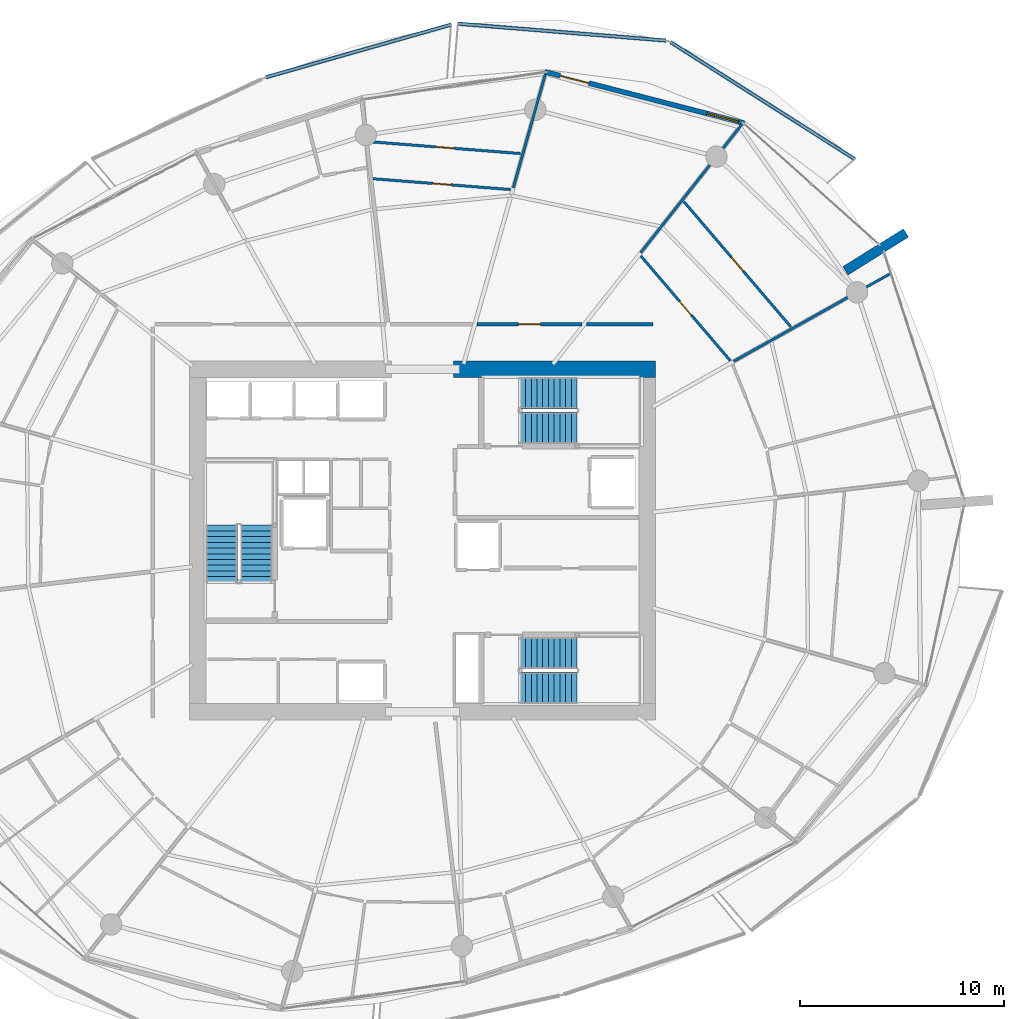
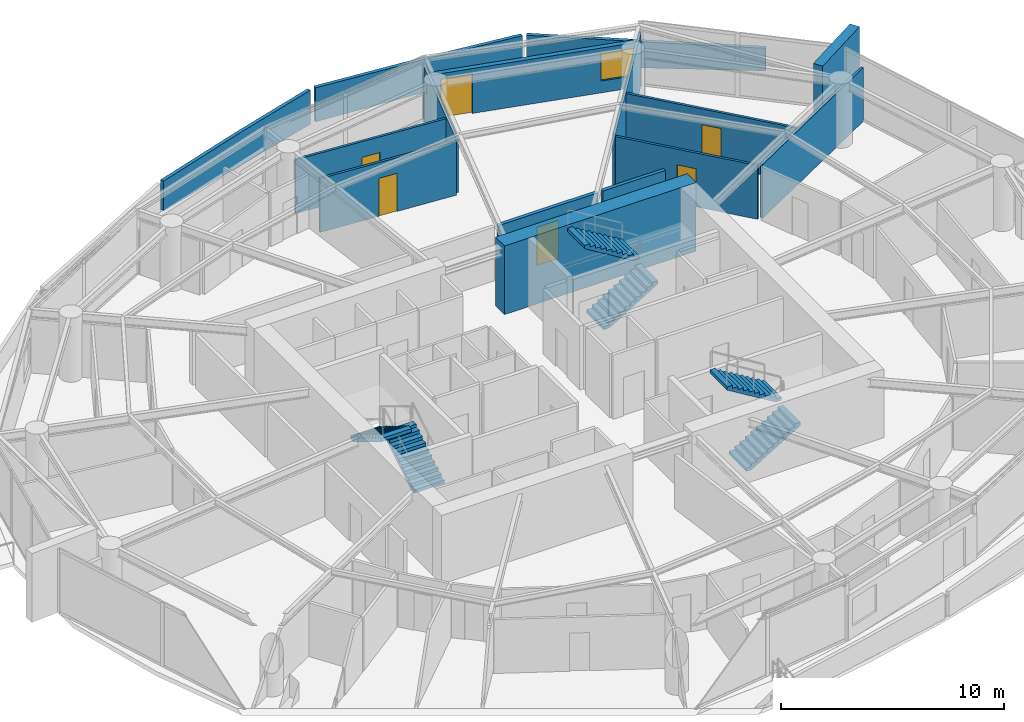
# One storey, part 15 of 20: 15 walls, 6 doors, 6 stair flights, 1 window, 7 openings, 3 elements without a shape of their own.
"""IFC4 building model written with IfcOpenShell, lengths in metres."""

from ifc_helpers import new_model, si_unit, direction, frame, frame_2d, origin, place, context, subcontext, project, spatial, polyline, rectangle, outline, extrude, material, layer, layer_set, type_object, element, fill, aggregate, save


model = new_model("IFC4")

# Units and contexts
model_context = context("Model", 3, precision=1e-05, world=origin(), true_north=direction((0.0, 1.0)))
body_context = subcontext(model_context, "Body", "Model", "MODEL_VIEW")
ifc_project = project(units=[si_unit("LENGTHUNIT", "METRE"), si_unit("AREAUNIT", "SQUARE_METRE"), si_unit("VOLUMEUNIT", "CUBIC_METRE"), si_unit("PLANEANGLEUNIT", "RADIAN"), si_unit("MASSUNIT", "GRAM", prefix="KILO")], contexts=[model_context])

# Site, building, storey
site_placement = place(None, origin())
site = spatial("IfcSite", under=ifc_project, at=site_placement, CompositionType="ELEMENT")
building_placement = place(site_placement, origin())
building = spatial("IfcBuilding", under=site, at=building_placement, Name="Kazma Halo Residences", CompositionType="ELEMENT")
storey_placement = place(building_placement, frame((0.0, 0.0, 157.800048828125)))
storey = spatial("IfcBuildingStorey", under=building, at=storey_placement, Name="L39", CompositionType="ELEMENT", Elevation=157.800048828125)

# Walls
ifc_material_1 = material(Name="White Concrete C50/60 Balustrade", Category="concrete")
ifc_layer_1 = layer(ifc_material_1, 0.179931640625)
ifc_layer_set_1 = layer_set([ifc_layer_1], Name="White Concrete C50/60 Balustrade")
wall_type_1 = type_object("IfcWallType", Name="WL-BAL-WAVE-180", PredefinedType="PARAPET", material=ifc_layer_set_1)
wall_1_placement = place(storey_placement, frame((69.623779296875, 60.697998046875, 0.0), z_axis=(0.0, 0.0, 1.0), x_axis=(-0.844049978771, 0.536264518066, 0.0)))
element("IfcWall", 1, at=wall_1_placement, inside=storey, type_object=wall_type_1, Name="L39 white wave balustrade wall NE.1", PredefinedType="PARAPET", context=body_context, shape_type="SweptSolid", body=[
    extrude(outline(polyline([(0.0, 0.0), (10.706787109375, 0.0), (10.706787109375, 1.6318359375), (5.353271484375, 1.41796875), (0.0, 1.23291015625), (0.0, 0.0)])), frame((0.0, 0.08984375, 0.0), z_axis=(0.0, -1.0, 0.0), x_axis=(1.0, 0.0, 0.0)), (0.0, 0.0, 1.0), 0.179931640625),
])
wall_2_placement = place(storey_placement, frame((60.36572265625, 66.513671875, 0.0), z_axis=(0.0, 0.0, 1.0), x_axis=(-0.99674567407, 0.080610552806, 0.0)))
element("IfcWall", 2, at=wall_2_placement, inside=storey, type_object=wall_type_1, Name="L39 white wave balustrade wall NE.2", PredefinedType="PARAPET", context=body_context, shape_type="SweptSolid", body=[
    extrude(outline(polyline([(0.0, 0.0), (10.2490234375, 0.0), (10.2490234375, 1.85986328125), (5.12451171875, 1.7978515625), (0.0, 1.6318359375), (0.0, 0.0)])), frame((0.0, 0.08984375, 0.0), z_axis=(0.0, -1.0, 0.0), x_axis=(1.0, 0.0, 0.0)), (0.0, 0.0, 1.0), 0.179931640625),
])
wall_3_placement = place(storey_placement, frame((49.83544921875, 67.295654296875, 0.0), z_axis=(0.0, 0.0, 1.0), x_axis=(-0.961897452062, -0.27341048209, 0.0)))
element("IfcWall", 3, at=wall_3_placement, inside=storey, type_object=wall_type_1, Name="L39 white wave balustrade wall NNW.1", PredefinedType="PARAPET", context=body_context, shape_type="SweptSolid", body=[
    extrude(outline(polyline([(0.0, 0.0), (9.44921875, 0.0), (9.448974609375, 1.6318359375), (4.724609375, 1.7978515625), (0.0, 1.85986328125), (0.0, 0.0)])), frame((0.0, 0.08984375, 0.0), z_axis=(0.0, -1.0, 0.0), x_axis=(1.0, 0.0, 0.0)), (0.0, 0.0, 1.0), 0.179931640625),
])
ifc_material_2 = material(Name="Pale Concrete C60/75", Category="concrete")
ifc_layer_2 = layer(ifc_material_2, 0.47998046875)
ifc_layer_set_2 = layer_set([ifc_layer_2], Name="Pale Concrete C60/75")
wall_type_2 = type_object("IfcWallType", Name="WL-BLADE-480", PredefinedType="SOLIDWALL", material=ifc_layer_set_2)
wall_4_placement = place(storey_placement, frame((69.165283203125, 55.2255859375, 0.0), z_axis=(0.0, 0.0, 1.0), x_axis=(0.848053161125, 0.529911158502, 0.0)))
element("IfcWall", 4, at=wall_4_placement, inside=storey, type_object=wall_type_2, Name="L39 pale concrete structural blade fin wall BW-01", PredefinedType="SOLIDWALL", context=body_context, shape_type="SweptSolid", body=[
    extrude(rectangle(XDim=3.5, YDim=0.47998046875, at=frame_2d((1.75, 0.0))), origin(), (0.0, 0.0, 1.0), 3.75),
])
ifc_material_3 = material(Name="Concrete C80/95", Category="concrete")
ifc_layer_3 = layer(ifc_material_3, 0.800048828125)
ifc_layer_set_3 = layer_set([ifc_layer_3], Name="Concrete C80/95")
wall_type_3 = type_object("IfcWallType", Name="WL-CORE-800", PredefinedType="SHEAR", material=ifc_layer_set_3)
wall_5_placement = place(storey_placement, frame((49.949951171875, 50.39990234375, 0.0), z_axis=(0.0, 0.0, 1.0), x_axis=(1.0, 0.0, 0.0)))
element("IfcWall", 5, at=wall_5_placement, inside=storey, type_object=wall_type_3, Name="L39 central core shear wall NE", PredefinedType="SHEAR", context=body_context, shape_type="SweptSolid", body=[
    extrude(rectangle(XDim=9.900146484375, YDim=0.800048828125, at=frame_2d((4.9501953125, 0.0))), origin(), (0.0, 0.0, 1.0), 3.75),
])

# Wall, opening, door
ifc_material_4 = material(Name="Acoustic Twin-Stud Gypsum")
ifc_layer_4 = layer(ifc_material_4, 0.179931640625)
ifc_layer_set_4 = layer_set([ifc_layer_4], Name="Acoustic Twin-Stud Gypsum")
wall_type_4 = type_object("IfcWallType", Name="WL-DEM-180", PredefinedType="PARTITIONING", material=ifc_layer_set_4)
wall_6_placement = place(storey_placement, frame((56.236328125, 52.60009765625, 0.0), z_axis=(0.0, 0.0, 1.0), x_axis=(-1.0, 0.0, 0.0)))
wall_6 = element("IfcWall", 6, at=wall_6_placement, inside=storey, type_object=wall_type_4, Name="L39 Apartment 3 entrance corridor wall", PredefinedType="PARTITIONING", context=body_context, shape_type="SweptSolid", body=[
    extrude(rectangle(XDim=5.126708984375, YDim=0.179931640625, at=frame_2d((2.5634765625, 0.0))), origin(), (0.0, 0.0, 1.0), 2.93994140625),
])
opening_1_placement = place(wall_6_placement, frame((2.013427734375, 0.0, 0.0)))
opening_1 = element("IfcOpeningElement", 7, at=opening_1_placement, cuts=wall_6, Name="Opening DA-1100", PredefinedType="OPENING", context=body_context, shape_type="SweptSolid", body=[
    extrude(rectangle(XDim=1.10009765625, YDim=2.10009765625, at=frame_2d((0.550048828125, 1.050048828125))), frame((0.0, 0.099853515625, 0.0), z_axis=(0.0, -1.0, 0.0), x_axis=(1.0, 0.0, 0.0)), (0.0, 0.0, 1.0), 0.199951171875),
])
ifc_material_5 = material(Name="Acoustic Walnut Fire Leaf")
door_type_1 = type_object("IfcDoorType", Name="DR-FD60-1100", OperationType="NOTDEFINED", PredefinedType="DOOR", material=ifc_material_5)
door_1_placement = place(opening_1_placement, origin())
door_1 = element("IfcDoor", 8, at=door_1_placement, inside=storey, type_object=door_type_1, Name="L39 Apartment 3 entrance fire door", OperationType="SINGLE_SWING_LEFT", OverallHeight=2.10009765625, OverallWidth=1.10009765625, PredefinedType="DOOR", context=body_context, shape_type="SweptSolid", body=[
    extrude(rectangle(XDim=1.10009765625, YDim=2.10009765625, at=frame_2d((0.550048828125, 1.050048828125))), frame((0.0, 0.02490234375, 0.0), z_axis=(0.0, -1.0, 0.0), x_axis=(1.0, 0.0, 0.0)), (0.0, 0.0, 1.0), 0.050048828125),
])
fill(opening_1, door_1)

# Wall
wall_7_placement = place(storey_placement, frame((59.72998046875, 52.60009765625, 0.0), z_axis=(0.0, 0.0, 1.0), x_axis=(-1.0, 0.0, 0.0)))
element("IfcWall", 9, at=wall_7_placement, inside=storey, type_object=wall_type_4, Name="L39 Apartment 3 inner wall 0", PredefinedType="PARTITIONING", context=body_context, shape_type="SweptSolid", body=[
    extrude(rectangle(XDim=3.253662109375, YDim=0.179931640625, at=frame_2d((1.626953125, 0.0))), origin(), (0.0, 0.0, 1.0), 2.93994140625),
])

# Wall, openings, door, window
ifc_material_6 = material(Name="Insulated Pale-Metal Composite Wall")
ifc_layer_5 = layer(ifc_material_6, 0.239990234375)
ifc_layer_set_5 = layer_set([ifc_layer_5], Name="Insulated Pale-Metal Composite Wall")
wall_type_5 = type_object("IfcWallType", Name="WL-EXT-HOST-240", PredefinedType="SOLIDWALL", material=ifc_layer_set_5)
wall_8_placement = place(storey_placement, frame((64.192138671875, 62.4658203125, 0.0), z_axis=(0.0, 0.0, 1.0), x_axis=(-0.968379685126, 0.249481032214, 0.0)))
wall_8 = element("IfcWall", 10, at=wall_8_placement, inside=storey, type_object=wall_type_5, Name="L39 exterior terrace-access wall B02", PredefinedType="SOLIDWALL", context=body_context, shape_type="SweptSolid", body=[
    extrude(rectangle(XDim=10.08154296875, YDim=0.239990234375, at=frame_2d((5.040771484375, 0.0))), origin(), (0.0, 0.0, 1.0), 2.449951171875),
])
opening_2_placement = place(wall_8_placement, frame((7.861572265625, 0.0, 0.0)))
opening_2 = element("IfcOpeningElement", 11, at=opening_2_placement, cuts=wall_8, Name="Opening DTR-1600", PredefinedType="OPENING", context=body_context, shape_type="SweptSolid", body=[
    extrude(rectangle(XDim=1.449951171875, YDim=2.14990234375, at=frame_2d((0.72509765625, 1.074951171875))), frame((0.0, 0.1298828125, 0.0), z_axis=(0.0, -1.0, 0.0), x_axis=(1.0, 0.0, 0.0)), (0.0, 0.0, 1.0), 0.260009765625),
])
opening_3_placement = place(wall_8_placement, frame((0.280029296875, 0.0, 0.64990234375)))
opening_3 = element("IfcOpeningElement", 12, at=opening_3_placement, cuts=wall_8, Name="Opening W-1800", PredefinedType="OPENING", context=body_context, shape_type="SweptSolid", body=[
    extrude(rectangle(XDim=1.60009765625, YDim=1.5, at=frame_2d((0.800048828125, 0.75))), frame((0.0, 0.1298828125, 0.0), z_axis=(0.0, -1.0, 0.0), x_axis=(1.0, 0.0, 0.0)), (0.0, 0.0, 1.0), 0.260009765625),
])
ifc_material_7 = material(Name="Aluminium AW-6063 T6 Double-Glazed Terrace Door", Category="aluminium")
door_type_2 = type_object("IfcDoorType", Name="DR-EXT-TERR-1600", OperationType="NOTDEFINED", PredefinedType="DOOR", material=ifc_material_7)
door_2_placement = place(opening_2_placement, origin())
door_2 = element("IfcDoor", 13, at=door_2_placement, inside=storey, type_object=door_type_2, Name="L39 B02 balcony terrace door", OperationType="DOUBLE_DOOR_SLIDING", OverallHeight=2.14990234375, OverallWidth=1.449951171875, PredefinedType="DOOR", context=body_context, shape_type="SweptSolid", body=[
    extrude(rectangle(XDim=1.449951171875, YDim=2.14990234375, at=frame_2d((0.72509765625, 1.074951171875))), frame((0.0, 0.02490234375, 0.0), z_axis=(0.0, -1.0, 0.0), x_axis=(1.0, 0.0, 0.0)), (0.0, 0.0, 1.0), 0.050048828125),
])
fill(opening_2, door_2)
ifc_material_8 = material(Name="Clear Triple-Silver Low-E Glass in Aluminium AW-6063 T6 Frame", Category="aluminium")
window_type = type_object("IfcWindowType", Name="WIN-RES-1800", PartitioningType="DOUBLE_PANEL_VERTICAL", PredefinedType="WINDOW", material=ifc_material_8)
window_placement = place(opening_3_placement, origin())
window = element("IfcWindow", 14, at=window_placement, inside=storey, type_object=window_type, Name="L39 B02 apartment window", OverallHeight=1.5, OverallWidth=1.60009765625, PartitioningType="SINGLE_PANEL", PredefinedType="WINDOW", context=body_context, shape_type="SweptSolid", body=[
    extrude(rectangle(XDim=1.60009765625, YDim=1.5, at=frame_2d((0.800048828125, 0.75))), frame((0.0, 0.030029296875, 0.0), z_axis=(0.0, -1.0, 0.0), x_axis=(1.0, 0.0, 0.0)), (0.0, 0.0, 1.0), 0.06005859375),
])
fill(opening_3, window)

# Walls
ifc_material_9 = material(Name="Gypsum Plasterboard Partition")
ifc_layer_6 = layer(ifc_material_9, 0.125)
ifc_layer_set_6 = layer_set([ifc_layer_6], Name="Gypsum Plasterboard Partition")
wall_type_6 = type_object("IfcWallType", Name="WL-PART-125", PredefinedType="PARTITIONING", material=ifc_layer_set_6)
wall_9_placement = place(storey_placement, frame((63.6787109375, 50.780517578125, 0.0), z_axis=(0.0, 0.0, 1.0), x_axis=(0.872493265844, 0.488626136281, 0.0)))
element("IfcWall", 15, at=wall_9_placement, inside=storey, type_object=wall_type_6, Name="L39 Apartment 3 radial partition 0", PredefinedType="PARTITIONING", context=body_context, shape_type="SweptSolid", body=[
    extrude(rectangle(XDim=8.816162109375, YDim=0.125, at=frame_2d((4.408203125, 0.0))), origin(), (0.0, 0.0, 1.0), 2.93994140625),
])
wall_10_placement = place(storey_placement, frame((59.125, 56.112060546875, 0.0), z_axis=(0.0, 0.0, 1.0), x_axis=(0.61910151414, 0.78531096719, 0.0)))
element("IfcWall", 16, at=wall_10_placement, inside=storey, type_object=wall_type_6, Name="L39 Apartment 3 living radial partition 0", PredefinedType="PARTITIONING", context=body_context, shape_type="SweptSolid", body=[
    extrude(rectangle(XDim=8.081787109375, YDim=0.125, at=frame_2d((4.041015625, 0.0))), origin(), (0.0, 0.0, 1.0), 2.93994140625),
])

# Wall, opening, door
wall_11_placement = place(storey_placement, frame((63.52001953125, 50.815185546875, 0.0), z_axis=(0.0, 0.0, 1.0), x_axis=(-0.649447526186, 0.760406411553, 0.0)))
wall_11 = element("IfcWall", 17, at=wall_11_placement, inside=storey, type_object=wall_type_6, Name="L39 Apartment 3 Sky Study hall wall", PredefinedType="PARTITIONING", context=body_context, shape_type="SweptSolid", body=[
    extrude(rectangle(XDim=6.752685546875, YDim=0.125, at=frame_2d((3.37646484375, 0.0))), origin(), (0.0, 0.0, 1.0), 2.93994140625),
])
opening_4_placement = place(wall_11_placement, frame((2.92626953125, 0.0, 0.0)))
opening_4 = element("IfcOpeningElement", 18, at=opening_4_placement, cuts=wall_11, Name="Opening DI-950", PredefinedType="OPENING", context=body_context, shape_type="SweptSolid", body=[
    extrude(rectangle(XDim=0.89990234375, YDim=2.080078125, at=frame_2d((0.449951171875, 1.0400390625))), frame((0.0, 0.072509765625, 0.0), z_axis=(0.0, -1.0, 0.0), x_axis=(1.0, 0.0, 0.0)), (0.0, 0.0, 1.0), 0.14501953125),
])
ifc_material_10 = material(Name="Timber Veneer Flush Leaf", Category="wood")
door_type_3 = type_object("IfcDoorType", Name="DR-INT-950", OperationType="NOTDEFINED", PredefinedType="DOOR", material=ifc_material_10)
door_3_placement = place(opening_4_placement, origin())
door_3 = element("IfcDoor", 19, at=door_3_placement, inside=storey, type_object=door_type_3, Name="L39 Apartment 3 Sky Study door", OperationType="SINGLE_SWING_RIGHT", OverallHeight=2.080078125, OverallWidth=0.89990234375, PredefinedType="DOOR", context=body_context, shape_type="SweptSolid", body=[
    extrude(rectangle(XDim=0.89990234375, YDim=2.080078125, at=frame_2d((0.449951171875, 1.0400390625))), frame((0.0, 0.02490234375, 0.0), z_axis=(0.0, -1.0, 0.0), x_axis=(1.0, 0.0, 0.0)), (0.0, 0.0, 1.0), 0.050048828125),
])
fill(opening_4, door_3)

wall_12_placement = place(storey_placement, frame((66.485595703125, 52.47607421875, 0.0), z_axis=(0.0, 0.0, 1.0), x_axis=(-0.649426515446, 0.760424355894, 0.0)))
wall_12 = element("IfcWall", 20, at=wall_12_placement, inside=storey, type_object=wall_type_6, Name="L39 Apartment 3 Gulf Master Bedroom divider wall", PredefinedType="PARTITIONING", context=body_context, shape_type="SweptSolid", body=[
    extrude(rectangle(XDim=8.078857421875, YDim=0.125, at=frame_2d((4.03955078125, 0.0))), origin(), (0.0, 0.0, 1.0), 2.93994140625),
])
opening_5_placement = place(wall_12_placement, frame((3.58935546875, 0.0, 0.0)))
opening_5 = element("IfcOpeningElement", 21, at=opening_5_placement, cuts=wall_12, Name="Opening DI-950", PredefinedType="OPENING", context=body_context, shape_type="SweptSolid", body=[
    extrude(rectangle(XDim=0.89990234375, YDim=2.080078125, at=frame_2d((0.449951171875, 1.0400390625))), frame((0.0, 0.072509765625, 0.0), z_axis=(0.0, -1.0, 0.0), x_axis=(1.0, 0.0, 0.0)), (0.0, 0.0, 1.0), 0.14501953125),
])
door_4_placement = place(opening_5_placement, origin())
door_4 = element("IfcDoor", 22, at=door_4_placement, inside=storey, type_object=door_type_3, Name="L39 Apartment 3 Gulf Master Bedroom door", OperationType="SINGLE_SWING_LEFT", OverallHeight=2.080078125, OverallWidth=0.89990234375, PredefinedType="DOOR", context=body_context, shape_type="SweptSolid", body=[
    extrude(rectangle(XDim=0.89990234375, YDim=2.080078125, at=frame_2d((0.449951171875, 1.0400390625))), frame((0.0, 0.02490234375, 0.0), z_axis=(0.0, -1.0, 0.0), x_axis=(1.0, 0.0, 0.0)), (0.0, 0.0, 1.0), 0.050048828125),
])
fill(opening_5, door_4)

# Wall
wall_13_placement = place(storey_placement, frame((52.877685546875, 59.29541015625, 0.0), z_axis=(0.0, 0.0, 1.0), x_axis=(0.271461170106, 0.962449392501, 0.0)))
element("IfcWall", 23, at=wall_13_placement, inside=storey, type_object=wall_type_6, Name="L39 Apartment 3 radial partition 2", PredefinedType="PARTITIONING", context=body_context, shape_type="SweptSolid", body=[
    extrude(rectangle(XDim=5.769287109375, YDim=0.125, at=frame_2d((2.884765625, 0.0))), origin(), (0.0, 0.0, 1.0), 2.93994140625),
])

# Wall, opening, door
wall_14_placement = place(storey_placement, frame((52.740966796875, 59.207763671875, 0.0), z_axis=(0.0, 0.0, 1.0), x_axis=(-0.996917452966, 0.078457580711, 0.0)))
wall_14 = element("IfcWall", 24, at=wall_14_placement, inside=storey, type_object=wall_type_6, Name="L39 Apartment 3 Primary Study hall wall", PredefinedType="PARTITIONING", context=body_context, shape_type="SweptSolid", body=[
    extrude(rectangle(XDim=6.75244140625, YDim=0.125, at=frame_2d((3.376220703125, 0.0))), origin(), (0.0, 0.0, 1.0), 2.93994140625),
])
opening_6_placement = place(wall_14_placement, frame((2.92626953125, 0.0, 0.0)))
opening_6 = element("IfcOpeningElement", 25, at=opening_6_placement, cuts=wall_14, Name="Opening DI-950", PredefinedType="OPENING", context=body_context, shape_type="SweptSolid", body=[
    extrude(rectangle(XDim=0.89990234375, YDim=2.080078125, at=frame_2d((0.449951171875, 1.0400390625))), frame((0.0, 0.072509765625, 0.0), z_axis=(0.0, -1.0, 0.0), x_axis=(1.0, 0.0, 0.0)), (0.0, 0.0, 1.0), 0.14501953125),
])
door_5_placement = place(opening_6_placement, origin())
door_5 = element("IfcDoor", 26, at=door_5_placement, inside=storey, type_object=door_type_3, Name="L39 Apartment 3 Primary Study door", OperationType="SINGLE_SWING_RIGHT", OverallHeight=2.080078125, OverallWidth=0.89990234375, PredefinedType="DOOR", context=body_context, shape_type="SweptSolid", body=[
    extrude(rectangle(XDim=0.89990234375, YDim=2.080078125, at=frame_2d((0.449951171875, 1.0400390625))), frame((0.0, 0.02490234375, 0.0), z_axis=(0.0, -1.0, 0.0), x_axis=(1.0, 0.0, 0.0)), (0.0, 0.0, 1.0), 0.050048828125),
])
fill(opening_6, door_5)

wall_15_placement = place(storey_placement, frame((53.238525390625, 60.971923828125, 0.0), z_axis=(0.0, 0.0, 1.0), x_axis=(-0.996916953075, 0.078463932292, 0.0)))
wall_15 = element("IfcWall", 27, at=wall_15_placement, inside=storey, type_object=wall_type_6, Name="L39 Apartment 3 Secondary Bedroom divider wall", PredefinedType="PARTITIONING", context=body_context, shape_type="SweptSolid", body=[
    extrude(rectangle(XDim=7.467529296875, YDim=0.125, at=frame_2d((3.73388671875, 0.0))), origin(), (0.0, 0.0, 1.0), 2.93994140625),
])
opening_7_placement = place(wall_15_placement, frame((3.28369140625, 0.0, 0.0)))
opening_7 = element("IfcOpeningElement", 28, at=opening_7_placement, cuts=wall_15, Name="Opening DI-950", PredefinedType="OPENING", context=body_context, shape_type="SweptSolid", body=[
    extrude(rectangle(XDim=0.89990234375, YDim=2.080078125, at=frame_2d((0.449951171875, 1.0400390625))), frame((0.0, 0.072509765625, 0.0), z_axis=(0.0, -1.0, 0.0), x_axis=(1.0, 0.0, 0.0)), (0.0, 0.0, 1.0), 0.14501953125),
])
door_6_placement = place(opening_7_placement, origin())
door_6 = element("IfcDoor", 29, at=door_6_placement, inside=storey, type_object=door_type_3, Name="L39 Apartment 3 Secondary Bedroom door", OperationType="SINGLE_SWING_LEFT", OverallHeight=2.080078125, OverallWidth=0.89990234375, PredefinedType="DOOR", context=body_context, shape_type="SweptSolid", body=[
    extrude(rectangle(XDim=0.89990234375, YDim=2.080078125, at=frame_2d((0.449951171875, 1.0400390625))), frame((0.0, 0.02490234375, 0.0), z_axis=(0.0, -1.0, 0.0), x_axis=(1.0, 0.0, 0.0)), (0.0, 0.0, 1.0), 0.050048828125),
])
fill(opening_7, door_6)

# Stair, stair flights
ifc_material_11 = material(Name="Concrete C50/60", Category="concrete")
stair_type = type_object("IfcStairType", Name="STR-RES1", PredefinedType="HALF_TURN_STAIR", material=ifc_material_11)
stair_1_placement = place(storey_placement, origin())
stair_1 = element("IfcStair", 30, at=stair_1_placement, inside=storey, type_object=stair_type, Name="L39 Core exit stair ST-01", PredefinedType="HALF_TURN_STAIR")
stair_flight_type = type_object("IfcStairFlightType", Name="STR-RES1-FLT", PredefinedType="STRAIGHT", material=ifc_material_11)
stair_flight_1_placement = place(storey_placement, frame((40.27490234375, 39.949951171875, 0.0), z_axis=(0.0, 0.0, 1.0), x_axis=(0.0, 1.0, 0.0)))
stair_flight_1 = element("IfcStairFlight", 31, at=stair_flight_1_placement, type_object=stair_flight_type, Name="ST-01 flight 1", NumberOfRisers=11, NumberOfTreads=10, PredefinedType="STRAIGHT", RiserHeight=0.170454545, TreadLength=0.28, context=body_context, shape_type="SweptSolid", body=[
    extrude(outline(polyline([(0.0, 0.0), (0.0, 0.17041015625), (0.280029296875, 0.17041015625), (0.280029296875, 0.3408203125), (0.56005859375, 0.3408203125), (0.56005859375, 0.511474609375), (0.840087890625, 0.511474609375), (0.840087890625, 0.681884765625), (1.1201171875, 0.681884765625), (1.1201171875, 0.852294921875), (1.39990234375, 0.852294921875), (1.39990234375, 1.022705078125), (1.679931640625, 1.022705078125), (1.679931640625, 1.193115234375), (1.9599609375, 1.193115234375), (1.9599609375, 1.363525390625), (2.239990234375, 1.363525390625), (2.239990234375, 1.5341796875), (2.52001953125, 1.5341796875), (2.52001953125, 1.70458984375), (2.800048828125, 1.70458984375), (2.800048828125, 1.875), (2.800048828125, 1.529052734375), (0.288330078125, 0.0), (0.0, 0.0)])), frame((0.0, 0.77490234375, 0.0), z_axis=(0.0, -1.0, 0.0), x_axis=(1.0, 0.0, 0.0)), (0.0, 0.0, 1.0), 1.550048828125),
])
stair_flight_2_placement = place(storey_placement, frame((38.574951171875, 42.75, 1.875), z_axis=(0.0, 0.0, 1.0), x_axis=(0.0, -1.0, 0.0)))
stair_flight_2 = element("IfcStairFlight", 32, at=stair_flight_2_placement, type_object=stair_flight_type, Name="ST-01 flight 2", NumberOfRisers=11, NumberOfTreads=10, PredefinedType="STRAIGHT", RiserHeight=0.170454545, TreadLength=0.28, context=body_context, shape_type="SweptSolid", body=[
    extrude(outline(polyline([(0.0, 0.0), (0.0, 0.17041015625), (0.280029296875, 0.17041015625), (0.280029296875, 0.3408203125), (0.56005859375, 0.3408203125), (0.56005859375, 0.511474609375), (0.840087890625, 0.511474609375), (0.840087890625, 0.681884765625), (1.1201171875, 0.681884765625), (1.1201171875, 0.852294921875), (1.39990234375, 0.852294921875), (1.39990234375, 1.022705078125), (1.679931640625, 1.022705078125), (1.679931640625, 1.193115234375), (1.9599609375, 1.193115234375), (1.9599609375, 1.363525390625), (2.239990234375, 1.363525390625), (2.239990234375, 1.5341796875), (2.52001953125, 1.5341796875), (2.52001953125, 1.70458984375), (2.800048828125, 1.70458984375), (2.800048828125, 1.875), (2.800048828125, 1.529052734375), (0.288330078125, 0.0), (0.0, 0.0)])), frame((0.0, 0.77490234375, 0.0), z_axis=(0.0, -1.0, 0.0), x_axis=(1.0, 0.0, 0.0)), (0.0, 0.0, 1.0), 1.550048828125),
])
aggregate(stair_1, [stair_flight_1, stair_flight_2])

stair_2_placement = place(storey_placement, origin())
stair_2 = element("IfcStair", 33, at=stair_2_placement, inside=storey, type_object=stair_type, Name="L39 Core exit stair ST-02", PredefinedType="HALF_TURN_STAIR")
stair_flight_3_placement = place(storey_placement, frame((53.199951171875, 47.52490234375, 0.0), z_axis=(0.0, 0.0, 1.0), x_axis=(1.0, 0.0, 0.0)))
stair_flight_3 = element("IfcStairFlight", 34, at=stair_flight_3_placement, type_object=stair_flight_type, Name="ST-02 flight 1", NumberOfRisers=11, NumberOfTreads=10, PredefinedType="STRAIGHT", RiserHeight=0.170454545, TreadLength=0.28, context=body_context, shape_type="SweptSolid", body=[
    extrude(outline(polyline([(0.0, 0.0), (0.0, 0.17041015625), (0.280029296875, 0.17041015625), (0.280029296875, 0.3408203125), (0.56005859375, 0.3408203125), (0.56005859375, 0.511474609375), (0.840087890625, 0.511474609375), (0.840087890625, 0.681884765625), (1.1201171875, 0.681884765625), (1.1201171875, 0.852294921875), (1.39990234375, 0.852294921875), (1.39990234375, 1.022705078125), (1.679931640625, 1.022705078125), (1.679931640625, 1.193115234375), (1.9599609375, 1.193115234375), (1.9599609375, 1.363525390625), (2.239990234375, 1.363525390625), (2.239990234375, 1.5341796875), (2.52001953125, 1.5341796875), (2.52001953125, 1.70458984375), (2.800048828125, 1.70458984375), (2.800048828125, 1.875), (2.800048828125, 1.529052734375), (0.288330078125, 0.0), (0.0, 0.0)])), frame((0.0, 0.77490234375, 0.0), z_axis=(0.0, -1.0, 0.0), x_axis=(1.0, 0.0, 0.0)), (0.0, 0.0, 1.0), 1.550048828125),
])
stair_flight_4_placement = place(storey_placement, frame((56.0, 49.22509765625, 1.875), z_axis=(0.0, 0.0, 1.0), x_axis=(-1.0, 0.0, 0.0)))
stair_flight_4 = element("IfcStairFlight", 35, at=stair_flight_4_placement, type_object=stair_flight_type, Name="ST-02 flight 2", NumberOfRisers=11, NumberOfTreads=10, PredefinedType="STRAIGHT", RiserHeight=0.170454545, TreadLength=0.28, context=body_context, shape_type="SweptSolid", body=[
    extrude(outline(polyline([(0.0, 0.0), (0.0, 0.17041015625), (0.280029296875, 0.17041015625), (0.280029296875, 0.3408203125), (0.56005859375, 0.3408203125), (0.56005859375, 0.511474609375), (0.840087890625, 0.511474609375), (0.840087890625, 0.681884765625), (1.1201171875, 0.681884765625), (1.1201171875, 0.852294921875), (1.39990234375, 0.852294921875), (1.39990234375, 1.022705078125), (1.679931640625, 1.022705078125), (1.679931640625, 1.193115234375), (1.9599609375, 1.193115234375), (1.9599609375, 1.363525390625), (2.239990234375, 1.363525390625), (2.239990234375, 1.5341796875), (2.52001953125, 1.5341796875), (2.52001953125, 1.70458984375), (2.800048828125, 1.70458984375), (2.800048828125, 1.875), (2.800048828125, 1.529052734375), (0.288330078125, 0.0), (0.0, 0.0)])), frame((0.0, 0.77490234375, 0.0), z_axis=(0.0, -1.0, 0.0), x_axis=(1.0, 0.0, 0.0)), (0.0, 0.0, 1.0), 1.550048828125),
])
aggregate(stair_2, [stair_flight_3, stair_flight_4])

stair_3_placement = place(storey_placement, origin())
stair_3 = element("IfcStair", 36, at=stair_3_placement, inside=storey, type_object=stair_type, Name="L39 Core exit stair ST-03", PredefinedType="HALF_TURN_STAIR")
stair_flight_5_placement = place(storey_placement, frame((53.199951171875, 34.77490234375, 0.0), z_axis=(0.0, 0.0, 1.0), x_axis=(1.0, 0.0, 0.0)))
stair_flight_5 = element("IfcStairFlight", 37, at=stair_flight_5_placement, type_object=stair_flight_type, Name="ST-03 flight 1", NumberOfRisers=11, NumberOfTreads=10, PredefinedType="STRAIGHT", RiserHeight=0.170454545, TreadLength=0.28, context=body_context, shape_type="SweptSolid", body=[
    extrude(outline(polyline([(0.0, 0.0), (0.0, 0.17041015625), (0.280029296875, 0.17041015625), (0.280029296875, 0.3408203125), (0.56005859375, 0.3408203125), (0.56005859375, 0.511474609375), (0.840087890625, 0.511474609375), (0.840087890625, 0.681884765625), (1.1201171875, 0.681884765625), (1.1201171875, 0.852294921875), (1.39990234375, 0.852294921875), (1.39990234375, 1.022705078125), (1.679931640625, 1.022705078125), (1.679931640625, 1.193115234375), (1.9599609375, 1.193115234375), (1.9599609375, 1.363525390625), (2.239990234375, 1.363525390625), (2.239990234375, 1.5341796875), (2.52001953125, 1.5341796875), (2.52001953125, 1.70458984375), (2.800048828125, 1.70458984375), (2.800048828125, 1.875), (2.800048828125, 1.529052734375), (0.288330078125, 0.0), (0.0, 0.0)])), frame((0.0, 0.77490234375, 0.0), z_axis=(0.0, -1.0, 0.0), x_axis=(1.0, 0.0, 0.0)), (0.0, 0.0, 1.0), 1.550048828125),
])
stair_flight_6_placement = place(storey_placement, frame((56.0, 36.47509765625, 1.875), z_axis=(0.0, 0.0, 1.0), x_axis=(-1.0, 0.0, 0.0)))
stair_flight_6 = element("IfcStairFlight", 38, at=stair_flight_6_placement, type_object=stair_flight_type, Name="ST-03 flight 2", NumberOfRisers=11, NumberOfTreads=10, PredefinedType="STRAIGHT", RiserHeight=0.170454545, TreadLength=0.28, context=body_context, shape_type="SweptSolid", body=[
    extrude(outline(polyline([(0.0, 0.0), (0.0, 0.17041015625), (0.280029296875, 0.17041015625), (0.280029296875, 0.3408203125), (0.56005859375, 0.3408203125), (0.56005859375, 0.511474609375), (0.840087890625, 0.511474609375), (0.840087890625, 0.681884765625), (1.1201171875, 0.681884765625), (1.1201171875, 0.852294921875), (1.39990234375, 0.852294921875), (1.39990234375, 1.022705078125), (1.679931640625, 1.022705078125), (1.679931640625, 1.193115234375), (1.9599609375, 1.193115234375), (1.9599609375, 1.363525390625), (2.239990234375, 1.363525390625), (2.239990234375, 1.5341796875), (2.52001953125, 1.5341796875), (2.52001953125, 1.70458984375), (2.800048828125, 1.70458984375), (2.800048828125, 1.875), (2.800048828125, 1.529052734375), (0.288330078125, 0.0), (0.0, 0.0)])), frame((0.0, 0.77490234375, 0.0), z_axis=(0.0, -1.0, 0.0), x_axis=(1.0, 0.0, 0.0)), (0.0, 0.0, 1.0), 1.550048828125),
])
aggregate(stair_3, [stair_flight_5, stair_flight_6])

save(model, "model.ifc")
